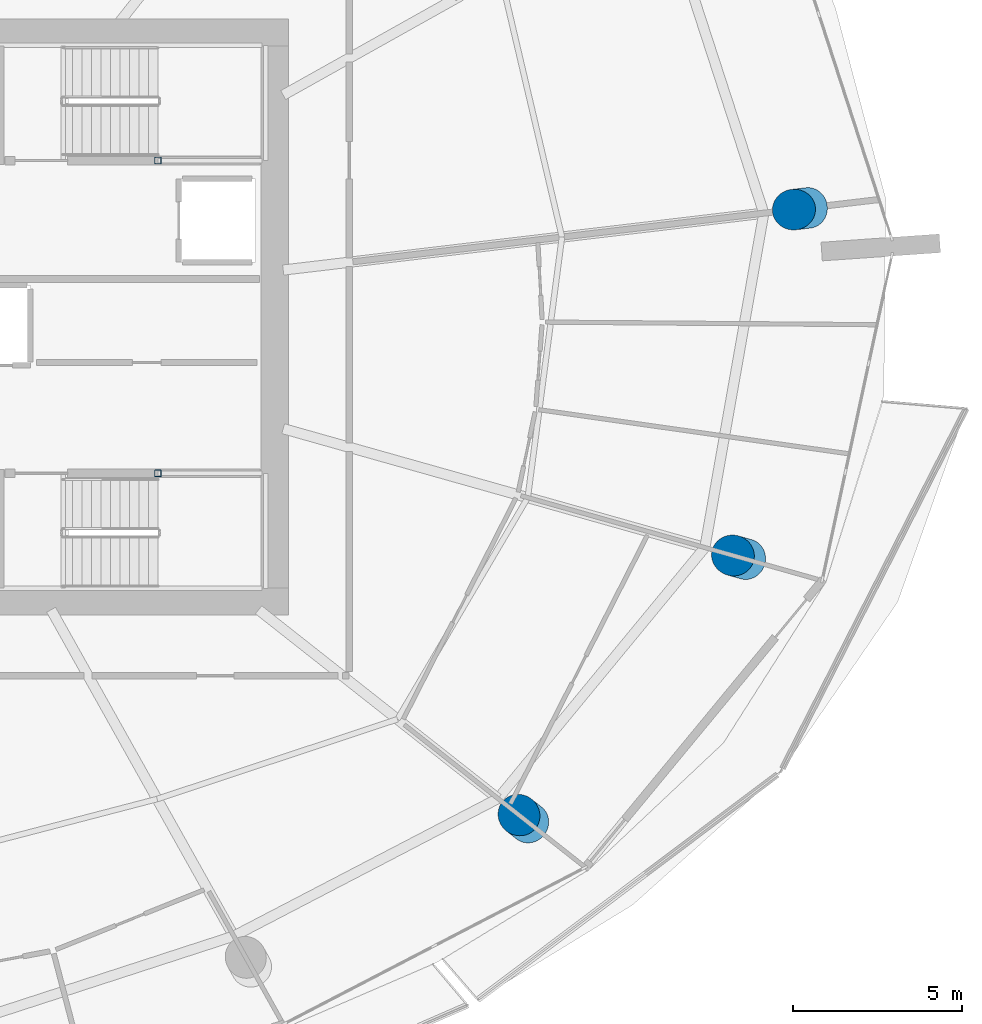
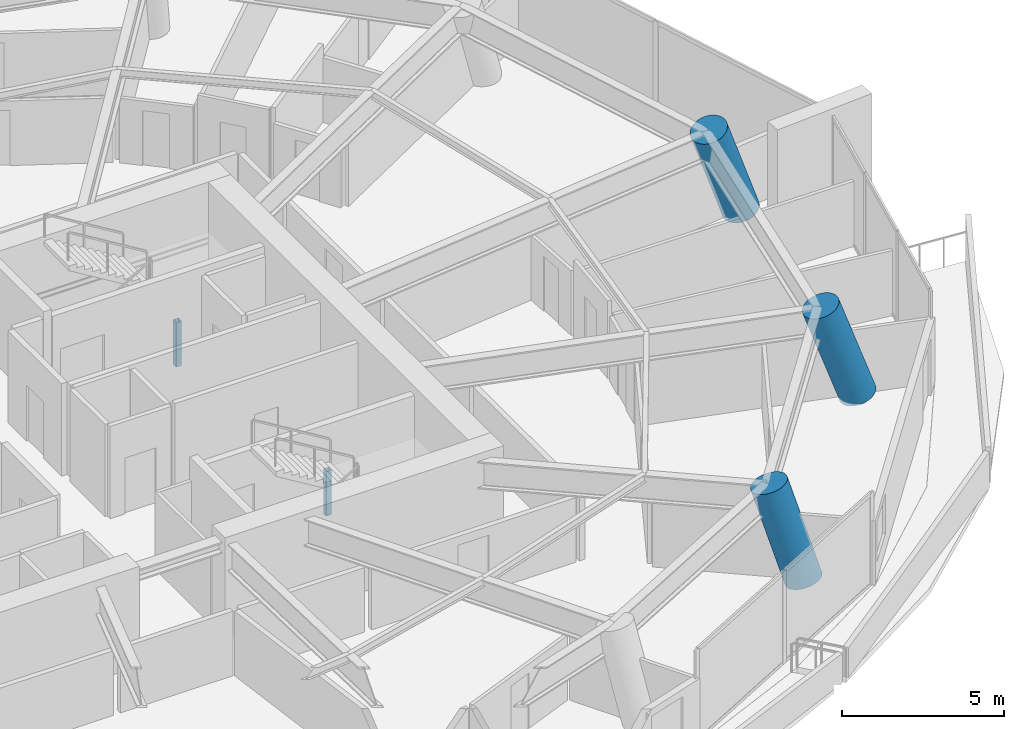
# One storey, part 3 of 23: 5 columns.
"""IFC4 building model written with IfcOpenShell, lengths in metres."""

from ifc_helpers import new_model, si_unit, direction, frame, origin, origin_2d, place, context, subcontext, project, spatial, hollow_rectangle, circle, extrude, material, material_profile, profile_set, type_object, element, save


model = new_model("IFC4")

# Units and contexts
model_context = context("Model", 3, precision=1e-05, world=origin(), true_north=direction((0.0, 1.0)))
body_context = subcontext(model_context, "Body", "Model", "MODEL_VIEW")
ifc_project = project(units=[si_unit("LENGTHUNIT", "METRE"), si_unit("AREAUNIT", "SQUARE_METRE"), si_unit("VOLUMEUNIT", "CUBIC_METRE"), si_unit("PLANEANGLEUNIT", "RADIAN"), si_unit("MASSUNIT", "GRAM", prefix="KILO")], contexts=[model_context])

# Site, building, storey
site_placement = place(None, origin())
site = spatial("IfcSite", under=ifc_project, at=site_placement, CompositionType="ELEMENT")
building_placement = place(site_placement, origin())
building = spatial("IfcBuilding", under=site, at=building_placement, Name="Kazma Halo Residences", CompositionType="ELEMENT")
storey_placement = place(building_placement, frame((0.0, 0.0, 112.64990234375)))
storey = spatial("IfcBuildingStorey", under=building, at=storey_placement, Name="L28", CompositionType="ELEMENT", Elevation=112.64990234375)

# Columns
ifc_material_1 = material(Name="Steel S355", Category="steel")
ifc_material_profile_1 = material_profile(ifc_material_1, hollow_rectangle(XDim=0.199951171875, YDim=0.199951171875, WallThickness=0.010009765625, InnerFilletRadius=0.010009765625, OuterFilletRadius=0.02001953125, at=origin_2d()), Name="SHS200x200x10")
ifc_profile_set_1 = profile_set([ifc_material_profile_1], Name="Steel S355")
column_type_1 = type_object("IfcColumnType", Name="COL-LP-SHS200", PredefinedType="COLUMN", material=ifc_profile_set_1)
for number, where, z_axis, x_axis, name in (
    (1, (56.0, 46.6201171875, 0.0), (0.0, 0.0, 1.0), (1.0, 0.0, 0.0), "L28 ST-02 landing pilaster 1"),
    (2, (56.0, 37.3798828125, 0.0), (0.0, 0.0, 1.0), (1.0, 0.0, 0.0), "L28 ST-03 landing pilaster 1"),
):
    element("IfcColumn", number, at=place(storey_placement, frame(where, z_axis=z_axis, x_axis=x_axis)), inside=storey, type_object=column_type_1, Name=name, PredefinedType="COLUMN", context=body_context, shape_type="SweptSolid", body=[
        extrude(hollow_rectangle(XDim=0.199951171875, YDim=0.199951171875, WallThickness=0.010009765625, InnerFilletRadius=0.010009765625, OuterFilletRadius=0.02001953125, at=origin_2d()), origin(), (0.0, 0.0, 1.0), 1.670166015625),
    ])
ifc_material_2 = material(Name="Concrete C80/95", Category="concrete")
ifc_material_profile_2 = material_profile(ifc_material_2, circle(Radius=0.60009765625, at=origin_2d()), Name="CIRC1200")
ifc_profile_set_2 = profile_set([ifc_material_profile_2], Name="Concrete C80/95")
column_type_2 = type_object("IfcColumnType", Name="COL-PERIM-1200", PredefinedType="COLUMN", material=ifc_profile_set_2)
column_1_placement = place(storey_placement, frame((66.9580078125, 27.0546875, 0.0), z_axis=(-0.23244676176, 0.183255946608, 0.95518886142), x_axis=(-0.619114149501, -0.785301005913, 0.0)))
element("IfcColumn", 3, at=column_1_placement, inside=storey, type_object=column_type_2, Name="L28 perimeter ring column P14", PredefinedType="COLUMN", context=body_context, shape_type="SweptSolid", body=[
    extrude(circle(Radius=0.60009765625, at=origin_2d()), origin(), (0.0, 0.0, 1.0), 3.633056640625),
])
column_2_placement = place(storey_placement, frame((73.376708984375, 34.843017578125, 0.0), z_axis=(-0.308482748796, 0.087033586072, 0.947239963574), x_axis=(-0.271534237934, -0.962428780549, 0.0)))
element("IfcColumn", 4, at=column_2_placement, inside=storey, type_object=column_type_2, Name="L28 perimeter ring column P15", PredefinedType="COLUMN", context=body_context, shape_type="SweptSolid", body=[
    extrude(circle(Radius=0.60009765625, at=origin_2d()), origin(), (0.0, 0.0, 1.0), 3.66357421875),
])
column_3_placement = place(storey_placement, frame((75.20654296875, 45.22021484375, 0.0), z_axis=(-0.329335891795, -0.039026502293, 0.943405958479), x_axis=(0.117677249874, -0.993051894345, 0.0)))
element("IfcColumn", 5, at=column_3_placement, inside=storey, type_object=column_type_2, Name="L28 perimeter ring column P16", PredefinedType="COLUMN", context=body_context, shape_type="SweptSolid", body=[
    extrude(circle(Radius=0.60009765625, at=origin_2d()), origin(), (0.0, 0.0, 1.0), 3.678466796875),
])

save(model, "model.ifc")
